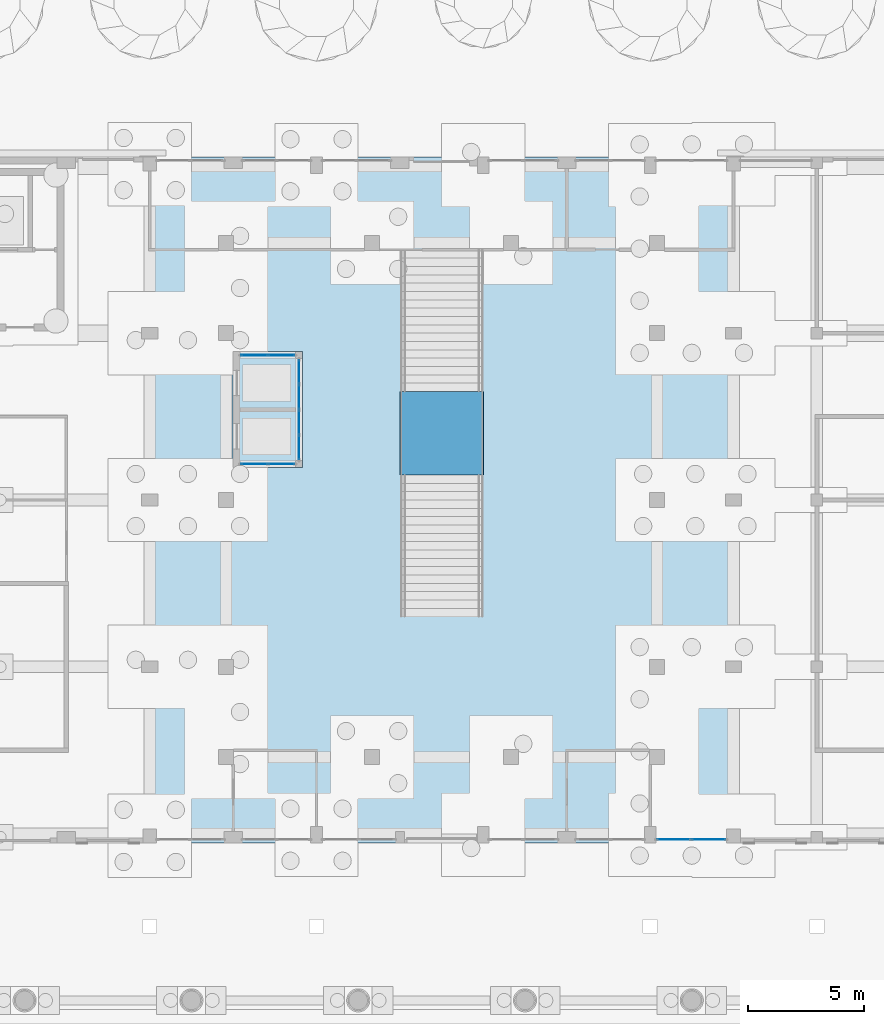
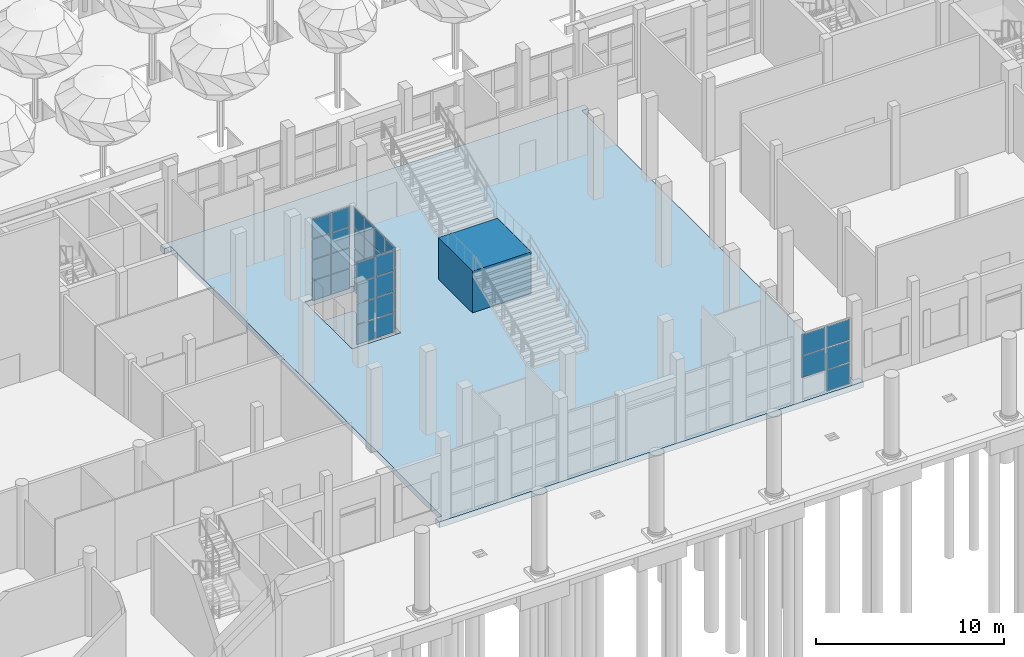
# One storey, part 31 of 80: 37 plates, 3 slabs, 5 elements without a shape of their own.
"""IFC4 building model written with IfcOpenShell, lengths in metres."""

from ifc_helpers import new_model, si_unit, direction, frame, origin, origin_2d, place, context, subcontext, project, spatial, polyline, rectangle, outline, extrude, material, layer, layer_set, type_object, element, aggregate, save


model = new_model("IFC4")

# Units and contexts
model_context = context("Model", 3, precision=1e-05, world=origin(), true_north=direction((0.0, 1.0)))
body_context = subcontext(model_context, "Body", "Model", "MODEL_VIEW")
ifc_project = project(units=[si_unit("LENGTHUNIT", "METRE"), si_unit("AREAUNIT", "SQUARE_METRE"), si_unit("VOLUMEUNIT", "CUBIC_METRE"), si_unit("PLANEANGLEUNIT", "RADIAN"), si_unit("MASSUNIT", "GRAM", prefix="KILO")], contexts=[model_context])

# Site, building, storey
site_placement = place(None, origin())
site = spatial("IfcSite", under=ifc_project, at=site_placement, CompositionType="ELEMENT")
building_placement = place(site_placement, origin())
building = spatial("IfcBuilding", under=site, at=building_placement, Name="Ussher Court Research Institute", CompositionType="ELEMENT")
storey_placement = place(building_placement, origin())
storey = spatial("IfcBuildingStorey", under=building, at=storey_placement, Name="L00", CompositionType="ELEMENT", Elevation=0.0)

# Curtain wall, plates
ifc_material_1 = material(Name="Bronze anodised aluminium with low-e glass", Category="aluminium")
ifc_layer_1 = layer(ifc_material_1, 0.1201171875)
ifc_layer_set_1 = layer_set([ifc_layer_1], Name="Bronze anodised aluminium with low-e glass")
curtain_wall_type = type_object("IfcCurtainWallType", Name="Curtain wall atrium clear glazing", PredefinedType="NOTDEFINED", material=ifc_layer_set_1)
curtain_wall_1_placement = place(storey_placement, origin())
curtain_wall_1 = element("IfcCurtainWall", 1, at=curtain_wall_1_placement, inside=storey, type_object=curtain_wall_type, Name="Curtain wall CW2 L00", PredefinedType="NOTDEFINED")
ifc_material_2 = material(Name="Double glazed unit")
ifc_layer_2 = layer(ifc_material_2, 0.028076171875)
ifc_layer_set_2 = layer_set([ifc_layer_2], Name="Double glazed unit")
plate_type = type_object("IfcPlateType", Name="Glazing panel 28 mm", PredefinedType="CURTAIN_PANEL", material=ifc_layer_set_2)
plate_1_placement = place(storey_placement, frame((63.12255859375, 10.949951171875, 0.06005859375), z_axis=(0.0, 0.0, 1.0), x_axis=(-1.0, 0.0, 0.0)))
plate_1 = element("IfcPlate", 2, at=plate_1_placement, type_object=plate_type, Name="CW2 panel 1.1", PredefinedType="CURTAIN_PANEL", context=body_context, shape_type="SweptSolid", body=[
    extrude(rectangle(XDim=1.43505859375, YDim=0.028076171875, at=origin_2d()), origin(), (0.0, 0.0, 1.0), 1.34326171875),
])
plate_2_placement = place(storey_placement, frame((63.12255859375, 10.949951171875, 1.46337890625), z_axis=(0.0, 0.0, 1.0), x_axis=(-1.0, 0.0, 0.0)))
plate_2 = element("IfcPlate", 3, at=plate_2_placement, type_object=plate_type, Name="CW2 panel 1.2", PredefinedType="CURTAIN_PANEL", context=body_context, shape_type="SweptSolid", body=[
    extrude(rectangle(XDim=1.43505859375, YDim=0.028076171875, at=origin_2d()), origin(), (0.0, 0.0, 1.0), 1.373291015625),
])
plate_3_placement = place(storey_placement, frame((63.12255859375, 10.949951171875, 2.896728515625), z_axis=(0.0, 0.0, 1.0), x_axis=(-1.0, 0.0, 0.0)))
plate_3 = element("IfcPlate", 4, at=plate_3_placement, type_object=plate_type, Name="CW2 panel 1.3", PredefinedType="CURTAIN_PANEL", context=body_context, shape_type="SweptSolid", body=[
    extrude(rectangle(XDim=1.43505859375, YDim=0.028076171875, at=origin_2d()), origin(), (0.0, 0.0, 1.0), 1.34326171875),
])
plate_4_placement = place(storey_placement, frame((61.62744140625, 10.949951171875, 1.46337890625), z_axis=(0.0, 0.0, 1.0), x_axis=(-1.0, 0.0, 0.0)))
plate_4 = element("IfcPlate", 5, at=plate_4_placement, type_object=plate_type, Name="CW2 panel 2.2", PredefinedType="CURTAIN_PANEL", context=body_context, shape_type="SweptSolid", body=[
    extrude(rectangle(XDim=1.43505859375, YDim=0.028076171875, at=origin_2d()), origin(), (0.0, 0.0, 1.0), 1.373291015625),
])
plate_5_placement = place(storey_placement, frame((61.62744140625, 10.949951171875, 2.896728515625), z_axis=(0.0, 0.0, 1.0), x_axis=(-1.0, 0.0, 0.0)))
plate_5 = element("IfcPlate", 6, at=plate_5_placement, type_object=plate_type, Name="CW2 panel 2.3", PredefinedType="CURTAIN_PANEL", context=body_context, shape_type="SweptSolid", body=[
    extrude(rectangle(XDim=1.43505859375, YDim=0.028076171875, at=origin_2d()), origin(), (0.0, 0.0, 1.0), 1.34326171875),
])
aggregate(curtain_wall_1, [plate_1, plate_2, plate_3, plate_4, plate_5])

curtain_wall_2_placement = place(storey_placement, origin())
curtain_wall_2 = element("IfcCurtainWall", 7, at=curtain_wall_2_placement, inside=storey, type_object=curtain_wall_type, Name="Curtain wall CW2 lift shaft L00", PredefinedType="NOTDEFINED")
plate_6_placement = place(storey_placement, frame((43.514892578125, 27.14990234375, 0.06005859375), z_axis=(0.0, 0.0, 1.0), x_axis=(1.0, 0.0, 0.0)))
plate_6 = element("IfcPlate", 8, at=plate_6_placement, type_object=plate_type, Name="CW2 panel 1.1", PredefinedType="CURTAIN_PANEL", context=body_context, shape_type="SweptSolid", body=[
    extrude(rectangle(XDim=1.110107421875, YDim=0.028076171875, at=origin_2d()), origin(), (0.0, 0.0, 1.0), 1.260009765625),
])
plate_7_placement = place(storey_placement, frame((43.514892578125, 27.14990234375, 1.3798828125), z_axis=(0.0, 0.0, 1.0), x_axis=(1.0, 0.0, 0.0)))
plate_7 = element("IfcPlate", 9, at=plate_7_placement, type_object=plate_type, Name="CW2 panel 1.2", PredefinedType="CURTAIN_PANEL", context=body_context, shape_type="SweptSolid", body=[
    extrude(rectangle(XDim=1.110107421875, YDim=0.028076171875, at=origin_2d()), origin(), (0.0, 0.0, 1.0), 1.2900390625),
])
plate_8_placement = place(storey_placement, frame((43.514892578125, 27.14990234375, 2.72998046875), z_axis=(0.0, 0.0, 1.0), x_axis=(1.0, 0.0, 0.0)))
plate_8 = element("IfcPlate", 10, at=plate_8_placement, type_object=plate_type, Name="CW2 panel 1.3", PredefinedType="CURTAIN_PANEL", context=body_context, shape_type="SweptSolid", body=[
    extrude(rectangle(XDim=1.110107421875, YDim=0.028076171875, at=origin_2d()), origin(), (0.0, 0.0, 1.0), 1.2900390625),
])
plate_9_placement = place(storey_placement, frame((43.514892578125, 27.14990234375, 4.080078125), z_axis=(0.0, 0.0, 1.0), x_axis=(1.0, 0.0, 0.0)))
plate_9 = element("IfcPlate", 11, at=plate_9_placement, type_object=plate_type, Name="CW2 panel 1.4", PredefinedType="CURTAIN_PANEL", context=body_context, shape_type="SweptSolid", body=[
    extrude(rectangle(XDim=1.110107421875, YDim=0.028076171875, at=origin_2d()), origin(), (0.0, 0.0, 1.0), 1.260009765625),
])
plate_10_placement = place(storey_placement, frame((44.68505859375, 27.14990234375, 0.06005859375), z_axis=(0.0, 0.0, 1.0), x_axis=(1.0, 0.0, 0.0)))
plate_10 = element("IfcPlate", 12, at=plate_10_placement, type_object=plate_type, Name="CW2 panel 2.1", PredefinedType="CURTAIN_PANEL", context=body_context, shape_type="SweptSolid", body=[
    extrude(rectangle(XDim=1.110107421875, YDim=0.028076171875, at=origin_2d()), origin(), (0.0, 0.0, 1.0), 1.260009765625),
])
plate_11_placement = place(storey_placement, frame((44.68505859375, 27.14990234375, 1.3798828125), z_axis=(0.0, 0.0, 1.0), x_axis=(1.0, 0.0, 0.0)))
plate_11 = element("IfcPlate", 13, at=plate_11_placement, type_object=plate_type, Name="CW2 panel 2.2", PredefinedType="CURTAIN_PANEL", context=body_context, shape_type="SweptSolid", body=[
    extrude(rectangle(XDim=1.110107421875, YDim=0.028076171875, at=origin_2d()), origin(), (0.0, 0.0, 1.0), 1.2900390625),
])
plate_12_placement = place(storey_placement, frame((44.68505859375, 27.14990234375, 2.72998046875), z_axis=(0.0, 0.0, 1.0), x_axis=(1.0, 0.0, 0.0)))
plate_12 = element("IfcPlate", 14, at=plate_12_placement, type_object=plate_type, Name="CW2 panel 2.3", PredefinedType="CURTAIN_PANEL", context=body_context, shape_type="SweptSolid", body=[
    extrude(rectangle(XDim=1.110107421875, YDim=0.028076171875, at=origin_2d()), origin(), (0.0, 0.0, 1.0), 1.2900390625),
])
plate_13_placement = place(storey_placement, frame((44.68505859375, 27.14990234375, 4.080078125), z_axis=(0.0, 0.0, 1.0), x_axis=(1.0, 0.0, 0.0)))
plate_13 = element("IfcPlate", 15, at=plate_13_placement, type_object=plate_type, Name="CW2 panel 2.4", PredefinedType="CURTAIN_PANEL", context=body_context, shape_type="SweptSolid", body=[
    extrude(rectangle(XDim=1.110107421875, YDim=0.028076171875, at=origin_2d()), origin(), (0.0, 0.0, 1.0), 1.260009765625),
])
aggregate(curtain_wall_2, [plate_6, plate_7, plate_8, plate_9, plate_10, plate_11, plate_12, plate_13])

curtain_wall_3_placement = place(storey_placement, origin())
curtain_wall_3 = element("IfcCurtainWall", 16, at=curtain_wall_3_placement, inside=storey, type_object=curtain_wall_type, Name="Curtain wall CW2 lift shaft L00", PredefinedType="NOTDEFINED")
plate_14_placement = place(storey_placement, frame((43.514892578125, 31.85009765625, 0.06005859375), z_axis=(0.0, 0.0, 1.0), x_axis=(1.0, 0.0, 0.0)))
plate_14 = element("IfcPlate", 17, at=plate_14_placement, type_object=plate_type, Name="CW2 panel 1.1", PredefinedType="CURTAIN_PANEL", context=body_context, shape_type="SweptSolid", body=[
    extrude(rectangle(XDim=1.110107421875, YDim=0.028076171875, at=origin_2d()), origin(), (0.0, 0.0, 1.0), 1.260009765625),
])
plate_15_placement = place(storey_placement, frame((43.514892578125, 31.85009765625, 1.3798828125), z_axis=(0.0, 0.0, 1.0), x_axis=(1.0, 0.0, 0.0)))
plate_15 = element("IfcPlate", 18, at=plate_15_placement, type_object=plate_type, Name="CW2 panel 1.2", PredefinedType="CURTAIN_PANEL", context=body_context, shape_type="SweptSolid", body=[
    extrude(rectangle(XDim=1.110107421875, YDim=0.028076171875, at=origin_2d()), origin(), (0.0, 0.0, 1.0), 1.2900390625),
])
plate_16_placement = place(storey_placement, frame((43.514892578125, 31.85009765625, 2.72998046875), z_axis=(0.0, 0.0, 1.0), x_axis=(1.0, 0.0, 0.0)))
plate_16 = element("IfcPlate", 19, at=plate_16_placement, type_object=plate_type, Name="CW2 panel 1.3", PredefinedType="CURTAIN_PANEL", context=body_context, shape_type="SweptSolid", body=[
    extrude(rectangle(XDim=1.110107421875, YDim=0.028076171875, at=origin_2d()), origin(), (0.0, 0.0, 1.0), 1.2900390625),
])
plate_17_placement = place(storey_placement, frame((43.514892578125, 31.85009765625, 4.080078125), z_axis=(0.0, 0.0, 1.0), x_axis=(1.0, 0.0, 0.0)))
plate_17 = element("IfcPlate", 20, at=plate_17_placement, type_object=plate_type, Name="CW2 panel 1.4", PredefinedType="CURTAIN_PANEL", context=body_context, shape_type="SweptSolid", body=[
    extrude(rectangle(XDim=1.110107421875, YDim=0.028076171875, at=origin_2d()), origin(), (0.0, 0.0, 1.0), 1.260009765625),
])
plate_18_placement = place(storey_placement, frame((44.68505859375, 31.85009765625, 0.06005859375), z_axis=(0.0, 0.0, 1.0), x_axis=(1.0, 0.0, 0.0)))
plate_18 = element("IfcPlate", 21, at=plate_18_placement, type_object=plate_type, Name="CW2 panel 2.1", PredefinedType="CURTAIN_PANEL", context=body_context, shape_type="SweptSolid", body=[
    extrude(rectangle(XDim=1.110107421875, YDim=0.028076171875, at=origin_2d()), origin(), (0.0, 0.0, 1.0), 1.260009765625),
])
plate_19_placement = place(storey_placement, frame((44.68505859375, 31.85009765625, 1.3798828125), z_axis=(0.0, 0.0, 1.0), x_axis=(1.0, 0.0, 0.0)))
plate_19 = element("IfcPlate", 22, at=plate_19_placement, type_object=plate_type, Name="CW2 panel 2.2", PredefinedType="CURTAIN_PANEL", context=body_context, shape_type="SweptSolid", body=[
    extrude(rectangle(XDim=1.110107421875, YDim=0.028076171875, at=origin_2d()), origin(), (0.0, 0.0, 1.0), 1.2900390625),
])
plate_20_placement = place(storey_placement, frame((44.68505859375, 31.85009765625, 2.72998046875), z_axis=(0.0, 0.0, 1.0), x_axis=(1.0, 0.0, 0.0)))
plate_20 = element("IfcPlate", 23, at=plate_20_placement, type_object=plate_type, Name="CW2 panel 2.3", PredefinedType="CURTAIN_PANEL", context=body_context, shape_type="SweptSolid", body=[
    extrude(rectangle(XDim=1.110107421875, YDim=0.028076171875, at=origin_2d()), origin(), (0.0, 0.0, 1.0), 1.2900390625),
])
plate_21_placement = place(storey_placement, frame((44.68505859375, 31.85009765625, 4.080078125), z_axis=(0.0, 0.0, 1.0), x_axis=(1.0, 0.0, 0.0)))
plate_21 = element("IfcPlate", 24, at=plate_21_placement, type_object=plate_type, Name="CW2 panel 2.4", PredefinedType="CURTAIN_PANEL", context=body_context, shape_type="SweptSolid", body=[
    extrude(rectangle(XDim=1.110107421875, YDim=0.028076171875, at=origin_2d()), origin(), (0.0, 0.0, 1.0), 1.260009765625),
])
aggregate(curtain_wall_3, [plate_14, plate_15, plate_16, plate_17, plate_18, plate_19, plate_20, plate_21])

curtain_wall_4_placement = place(storey_placement, origin())
curtain_wall_4 = element("IfcCurtainWall", 25, at=curtain_wall_4_placement, inside=storey, type_object=curtain_wall_type, Name="Curtain wall CW2 lift shaft L00", PredefinedType="NOTDEFINED")
plate_22_placement = place(storey_placement, frame((45.449951171875, 27.864990234375, 0.06005859375), z_axis=(0.0, 0.0, 1.0), x_axis=(0.0, 1.0, 0.0)))
plate_22 = element("IfcPlate", 26, at=plate_22_placement, type_object=plate_type, Name="CW2 panel 1.1", PredefinedType="CURTAIN_PANEL", context=body_context, shape_type="SweptSolid", body=[
    extrude(rectangle(XDim=1.010009765625, YDim=0.028076171875, at=origin_2d()), origin(), (0.0, 0.0, 1.0), 1.260009765625),
])
plate_23_placement = place(storey_placement, frame((45.449951171875, 27.864990234375, 1.3798828125), z_axis=(0.0, 0.0, 1.0), x_axis=(0.0, 1.0, 0.0)))
plate_23 = element("IfcPlate", 27, at=plate_23_placement, type_object=plate_type, Name="CW2 panel 1.2", PredefinedType="CURTAIN_PANEL", context=body_context, shape_type="SweptSolid", body=[
    extrude(rectangle(XDim=1.010009765625, YDim=0.028076171875, at=origin_2d()), origin(), (0.0, 0.0, 1.0), 1.2900390625),
])
plate_24_placement = place(storey_placement, frame((45.449951171875, 27.864990234375, 2.72998046875), z_axis=(0.0, 0.0, 1.0), x_axis=(0.0, 1.0, 0.0)))
plate_24 = element("IfcPlate", 28, at=plate_24_placement, type_object=plate_type, Name="CW2 panel 1.3", PredefinedType="CURTAIN_PANEL", context=body_context, shape_type="SweptSolid", body=[
    extrude(rectangle(XDim=1.010009765625, YDim=0.028076171875, at=origin_2d()), origin(), (0.0, 0.0, 1.0), 1.2900390625),
])
plate_25_placement = place(storey_placement, frame((45.449951171875, 27.864990234375, 4.080078125), z_axis=(0.0, 0.0, 1.0), x_axis=(0.0, 1.0, 0.0)))
plate_25 = element("IfcPlate", 29, at=plate_25_placement, type_object=plate_type, Name="CW2 panel 1.4", PredefinedType="CURTAIN_PANEL", context=body_context, shape_type="SweptSolid", body=[
    extrude(rectangle(XDim=1.010009765625, YDim=0.028076171875, at=origin_2d()), origin(), (0.0, 0.0, 1.0), 1.260009765625),
])
plate_26_placement = place(storey_placement, frame((45.449951171875, 28.949951171875, 0.06005859375), z_axis=(0.0, 0.0, 1.0), x_axis=(0.0, 1.0, 0.0)))
plate_26 = element("IfcPlate", 30, at=plate_26_placement, type_object=plate_type, Name="CW2 panel 2.1", PredefinedType="CURTAIN_PANEL", context=body_context, shape_type="SweptSolid", body=[
    extrude(rectangle(XDim=1.0400390625, YDim=0.028076171875, at=origin_2d()), origin(), (0.0, 0.0, 1.0), 1.260009765625),
])
plate_27_placement = place(storey_placement, frame((45.449951171875, 28.949951171875, 1.3798828125), z_axis=(0.0, 0.0, 1.0), x_axis=(0.0, 1.0, 0.0)))
plate_27 = element("IfcPlate", 31, at=plate_27_placement, type_object=plate_type, Name="CW2 panel 2.2", PredefinedType="CURTAIN_PANEL", context=body_context, shape_type="SweptSolid", body=[
    extrude(rectangle(XDim=1.0400390625, YDim=0.028076171875, at=origin_2d()), origin(), (0.0, 0.0, 1.0), 1.2900390625),
])
plate_28_placement = place(storey_placement, frame((45.449951171875, 28.949951171875, 2.72998046875), z_axis=(0.0, 0.0, 1.0), x_axis=(0.0, 1.0, 0.0)))
plate_28 = element("IfcPlate", 32, at=plate_28_placement, type_object=plate_type, Name="CW2 panel 2.3", PredefinedType="CURTAIN_PANEL", context=body_context, shape_type="SweptSolid", body=[
    extrude(rectangle(XDim=1.0400390625, YDim=0.028076171875, at=origin_2d()), origin(), (0.0, 0.0, 1.0), 1.2900390625),
])
plate_29_placement = place(storey_placement, frame((45.449951171875, 28.949951171875, 4.080078125), z_axis=(0.0, 0.0, 1.0), x_axis=(0.0, 1.0, 0.0)))
plate_29 = element("IfcPlate", 33, at=plate_29_placement, type_object=plate_type, Name="CW2 panel 2.4", PredefinedType="CURTAIN_PANEL", context=body_context, shape_type="SweptSolid", body=[
    extrude(rectangle(XDim=1.0400390625, YDim=0.028076171875, at=origin_2d()), origin(), (0.0, 0.0, 1.0), 1.260009765625),
])
plate_30_placement = place(storey_placement, frame((45.449951171875, 30.050048828125, 0.06005859375), z_axis=(0.0, 0.0, 1.0), x_axis=(0.0, 1.0, 0.0)))
plate_30 = element("IfcPlate", 34, at=plate_30_placement, type_object=plate_type, Name="CW2 panel 3.1", PredefinedType="CURTAIN_PANEL", context=body_context, shape_type="SweptSolid", body=[
    extrude(rectangle(XDim=1.0400390625, YDim=0.028076171875, at=origin_2d()), origin(), (0.0, 0.0, 1.0), 1.260009765625),
])
plate_31_placement = place(storey_placement, frame((45.449951171875, 30.050048828125, 1.3798828125), z_axis=(0.0, 0.0, 1.0), x_axis=(0.0, 1.0, 0.0)))
plate_31 = element("IfcPlate", 35, at=plate_31_placement, type_object=plate_type, Name="CW2 panel 3.2", PredefinedType="CURTAIN_PANEL", context=body_context, shape_type="SweptSolid", body=[
    extrude(rectangle(XDim=1.0400390625, YDim=0.028076171875, at=origin_2d()), origin(), (0.0, 0.0, 1.0), 1.2900390625),
])
plate_32_placement = place(storey_placement, frame((45.449951171875, 30.050048828125, 2.72998046875), z_axis=(0.0, 0.0, 1.0), x_axis=(0.0, 1.0, 0.0)))
plate_32 = element("IfcPlate", 36, at=plate_32_placement, type_object=plate_type, Name="CW2 panel 3.3", PredefinedType="CURTAIN_PANEL", context=body_context, shape_type="SweptSolid", body=[
    extrude(rectangle(XDim=1.0400390625, YDim=0.028076171875, at=origin_2d()), origin(), (0.0, 0.0, 1.0), 1.2900390625),
])
plate_33_placement = place(storey_placement, frame((45.449951171875, 30.050048828125, 4.080078125), z_axis=(0.0, 0.0, 1.0), x_axis=(0.0, 1.0, 0.0)))
plate_33 = element("IfcPlate", 37, at=plate_33_placement, type_object=plate_type, Name="CW2 panel 3.4", PredefinedType="CURTAIN_PANEL", context=body_context, shape_type="SweptSolid", body=[
    extrude(rectangle(XDim=1.0400390625, YDim=0.028076171875, at=origin_2d()), origin(), (0.0, 0.0, 1.0), 1.260009765625),
])
plate_34_placement = place(storey_placement, frame((45.449951171875, 31.135009765625, 0.06005859375), z_axis=(0.0, 0.0, 1.0), x_axis=(0.0, 1.0, 0.0)))
plate_34 = element("IfcPlate", 38, at=plate_34_placement, type_object=plate_type, Name="CW2 panel 4.1", PredefinedType="CURTAIN_PANEL", context=body_context, shape_type="SweptSolid", body=[
    extrude(rectangle(XDim=1.010009765625, YDim=0.028076171875, at=origin_2d()), origin(), (0.0, 0.0, 1.0), 1.260009765625),
])
plate_35_placement = place(storey_placement, frame((45.449951171875, 31.135009765625, 1.3798828125), z_axis=(0.0, 0.0, 1.0), x_axis=(0.0, 1.0, 0.0)))
plate_35 = element("IfcPlate", 39, at=plate_35_placement, type_object=plate_type, Name="CW2 panel 4.2", PredefinedType="CURTAIN_PANEL", context=body_context, shape_type="SweptSolid", body=[
    extrude(rectangle(XDim=1.010009765625, YDim=0.028076171875, at=origin_2d()), origin(), (0.0, 0.0, 1.0), 1.2900390625),
])
plate_36_placement = place(storey_placement, frame((45.449951171875, 31.135009765625, 2.72998046875), z_axis=(0.0, 0.0, 1.0), x_axis=(0.0, 1.0, 0.0)))
plate_36 = element("IfcPlate", 40, at=plate_36_placement, type_object=plate_type, Name="CW2 panel 4.3", PredefinedType="CURTAIN_PANEL", context=body_context, shape_type="SweptSolid", body=[
    extrude(rectangle(XDim=1.010009765625, YDim=0.028076171875, at=origin_2d()), origin(), (0.0, 0.0, 1.0), 1.2900390625),
])
plate_37_placement = place(storey_placement, frame((45.449951171875, 31.135009765625, 4.080078125), z_axis=(0.0, 0.0, 1.0), x_axis=(0.0, 1.0, 0.0)))
plate_37 = element("IfcPlate", 41, at=plate_37_placement, type_object=plate_type, Name="CW2 panel 4.4", PredefinedType="CURTAIN_PANEL", context=body_context, shape_type="SweptSolid", body=[
    extrude(rectangle(XDim=1.010009765625, YDim=0.028076171875, at=origin_2d()), origin(), (0.0, 0.0, 1.0), 1.260009765625),
])
aggregate(curtain_wall_4, [plate_22, plate_23, plate_24, plate_25, plate_26, plate_27, plate_28, plate_29, plate_30, plate_31, plate_32, plate_33, plate_34, plate_35, plate_36, plate_37])

# Slabs
ifc_material_3 = material(Name="Concrete C35/45", Category="concrete")
ifc_layer_3 = layer(ifc_material_3, 0.3798828125)
ifc_layer_set_3 = layer_set([ifc_layer_3], Name="Concrete C35/45")
slab_type_1 = type_object("IfcSlabType", Name="Ground slab 380", PredefinedType="BASESLAB", material=ifc_layer_set_3)
slab_1_placement = place(storey_placement, frame((0.0, 0.0, -0.3798828125)))
element("IfcSlab", 42, at=slab_1_placement, inside=storey, type_object=slab_type_1, Name="GS380 V2 L00-01", PredefinedType="BASESLAB", context=body_context, shape_type="SweptSolid", body=[
    extrude(outline(polyline([(39.0, 11.199951171875), (38.60009765625, 11.199951171875), (38.60009765625, 10.800048828125), (64.60009765625, 10.800048828125), (64.60009765625, 11.199951171875), (64.199951171875, 11.199951171875), (64.199951171875, 40.0), (64.60009765625, 40.0), (64.60009765625, 40.39990234375), (38.60009765625, 40.39990234375), (38.60009765625, 40.0), (39.0, 40.0), (39.0, 11.199951171875)]), holes=[polyline([(45.60009765625, 32.0), (45.60009765625, 27.0), (42.60009765625, 27.0), (42.60009765625, 32.0), (45.60009765625, 32.0)])]), origin(), (0.0, 0.0, 1.0), 0.3798828125),
])
ifc_material_4 = material(Name="Concrete C35/45", Category="concrete")
ifc_layer_4 = layer(ifc_material_4, 0.300048828125)
ifc_layer_set_4 = layer_set([ifc_layer_4], Name="Concrete C35/45")
slab_type_2 = type_object("IfcSlabType", Name="Lift pit slab 300 RC", PredefinedType="BASESLAB", material=ifc_layer_set_4)
slab_2_placement = place(storey_placement, frame((0.0, 0.0, -1.89990234375)))
element("IfcSlab", 43, at=slab_2_placement, inside=storey, type_object=slab_type_2, Name="Lift pit slab atrium", PredefinedType="BASESLAB", context=body_context, shape_type="SweptSolid", body=[
    extrude(outline(polyline([(42.60009765625, 27.0), (45.60009765625, 27.0), (45.60009765625, 32.0), (42.60009765625, 32.0), (42.60009765625, 27.0)]), holes=[polyline([(43.10009765625, 27.60009765625), (44.0, 27.60009765625), (44.0, 28.5), (43.10009765625, 28.5), (43.10009765625, 27.60009765625)])]), origin(), (0.0, 0.0, 1.0), 0.2998046875),
])

# Stair, slab
ifc_material_5 = material(Name="Concrete C35/45", Category="concrete")
stair_type = type_object("IfcStairType", Name="Monumental stair 36 risers 150 mm", PredefinedType="HALF_TURN_STAIR", material=ifc_material_5)
stair_placement = place(storey_placement, origin())
stair = element("IfcStair", 44, at=stair_placement, inside=storey, type_object=stair_type, Name="L00 Monumental stair", PredefinedType="HALF_TURN_STAIR")
ifc_material_6 = material(Name="Concrete C35/45", Category="concrete")
ifc_layer_5 = layer(ifc_material_6, 2.699951171875)
ifc_layer_set_5 = layer_set([ifc_layer_5], Name="Concrete C35/45")
slab_type_3 = type_object("IfcSlabType", Name="Stair landing block 2700 RC", PredefinedType="LANDING", material=ifc_layer_set_5)
slab_3_placement = place(storey_placement, origin())
slab_3 = element("IfcSlab", 45, at=slab_3_placement, type_object=slab_type_3, Name="Monumental stair landing block", PredefinedType="LANDING", context=body_context, shape_type="SweptSolid", body=[
    extrude(outline(polyline([(49.800048828125, 26.679931640625), (53.39990234375, 26.679931640625), (53.39990234375, 30.280029296875), (49.800048828125, 30.280029296875), (49.800048828125, 26.679931640625)])), origin(), (0.0, 0.0, 1.0), 2.699951171875),
])
aggregate(stair, [slab_3])

save(model, "model.ifc")
